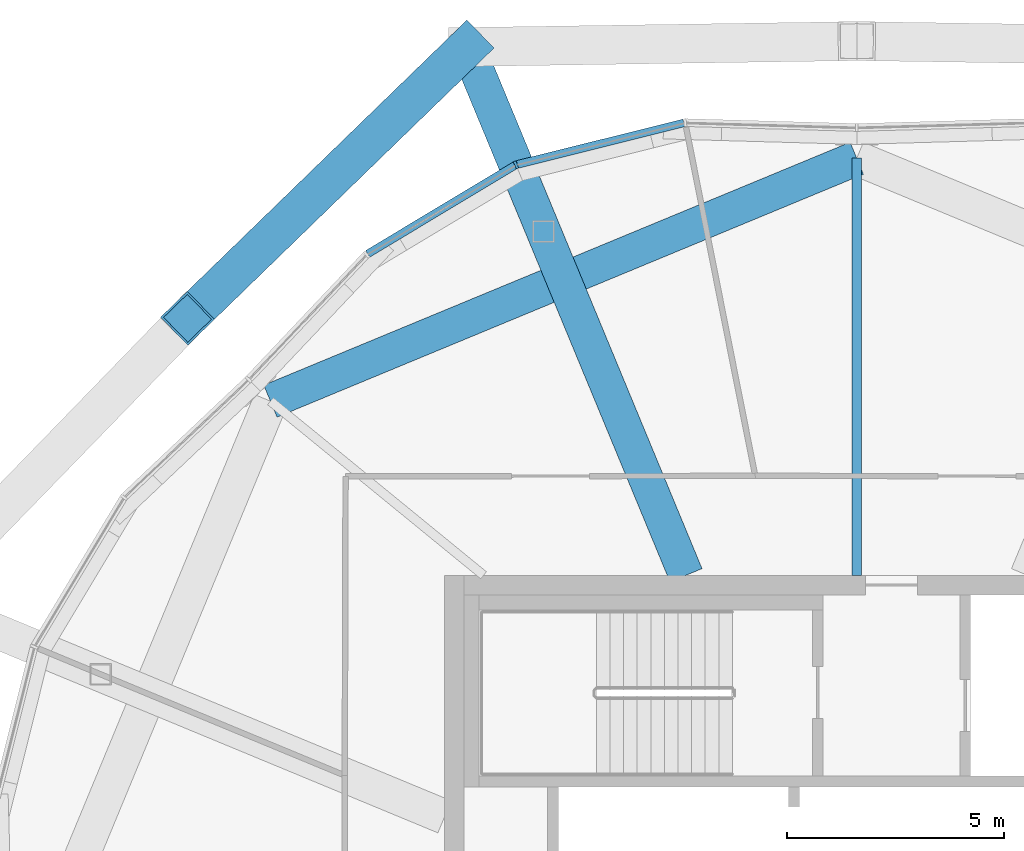
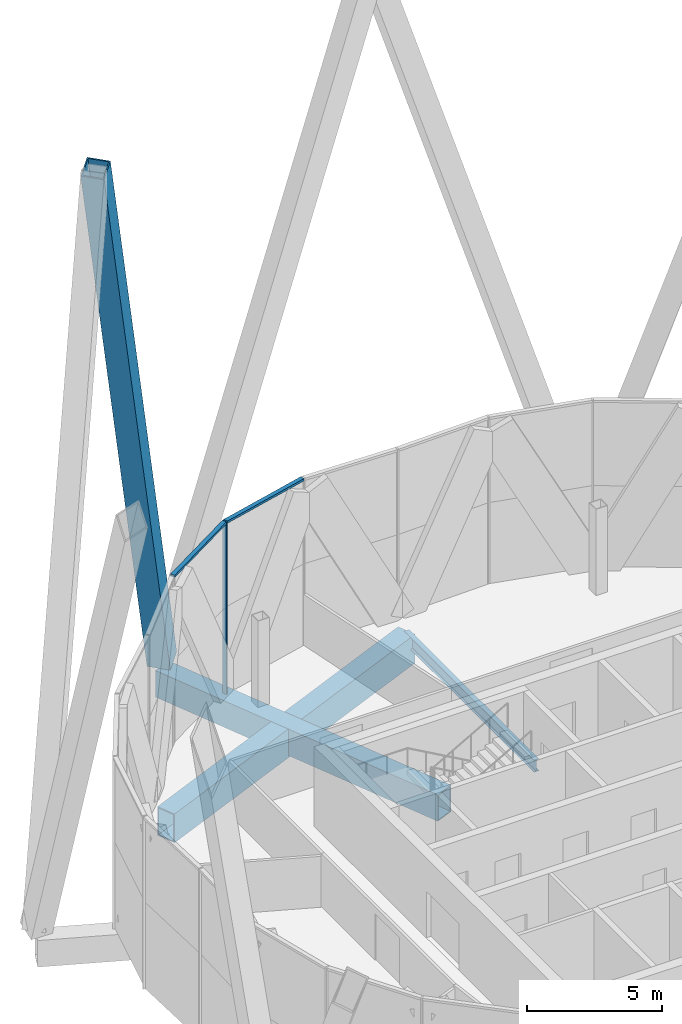
# One storey, part 18 of 53: 4 members, 3 beams, 1 element without a shape of its own.
"""IFC4 building model written with IfcOpenShell, lengths in metres."""

from ifc_helpers import new_model, si_unit, direction, frame, origin, origin_2d, place, context, subcontext, project, spatial, rectangle, hollow_rectangle, i_section, extrude, material, material_profile, profile_set, type_object, element, aggregate, save


model = new_model("IFC4")

# Units and contexts
model_context = context("Model", 3, precision=1e-05, world=origin(), true_north=direction((0.0, 1.0)))
body_context = subcontext(model_context, "Body", "Model", "MODEL_VIEW")
ifc_project = project(units=[si_unit("LENGTHUNIT", "METRE"), si_unit("AREAUNIT", "SQUARE_METRE"), si_unit("VOLUMEUNIT", "CUBIC_METRE"), si_unit("PLANEANGLEUNIT", "RADIAN"), si_unit("MASSUNIT", "GRAM", prefix="KILO")], contexts=[model_context])

# Site, building, storey
site_placement = place(None, origin())
site = spatial("IfcSite", under=ifc_project, at=site_placement, CompositionType="ELEMENT")
building_placement = place(site_placement, origin())
building = spatial("IfcBuilding", under=site, at=building_placement, Name="Ogive Gate Towers", CompositionType="ELEMENT")
storey_placement = place(building_placement, frame((0.0, 0.0, 240.60009765625)))
storey = spatial("IfcBuildingStorey", under=building, at=storey_placement, Name="L57", CompositionType="ELEMENT", Elevation=240.60009765625)

# Member
ifc_material_1 = material(Name="Steel SM460", Category="steel")
ifc_material_profile_1 = material_profile(ifc_material_1, hollow_rectangle(XDim=0.89990234375, YDim=0.89990234375, WallThickness=0.050048828125, at=origin_2d()), Name="BX 900x900x50")
ifc_profile_set_1 = profile_set([ifc_material_profile_1], Name="Steel SM460")
member_type_1 = type_object("IfcMemberType", Name="Diagrid diagonal BX 900x900x50", PredefinedType="BRACE", material=ifc_profile_set_1)
member_1_placement = place(storey_placement, frame((-44.977783203125, 21.67431640625, 0.0), z_axis=(-0.217751746913, -0.211259451685, 0.952866003586), x_axis=(0.696326291775, -0.717725362087, 0.0)))
element("IfcMember", 1, at=member_1_placement, inside=storey, type_object=member_type_1, Name="T1/L57/SDG006", PredefinedType="BRACE", context=body_context, shape_type="SweptSolid", body=[
    extrude(hollow_rectangle(XDim=0.89990234375, YDim=0.89990234375, WallThickness=0.050048828125, at=origin_2d()), origin(), (0.0, 0.0, 1.0), 29.594970703125),
])

# Beams
ifc_material_profile_2 = material_profile(ifc_material_1, hollow_rectangle(XDim=0.800048828125, YDim=1.300048828125, WallThickness=0.050048828125, at=origin_2d()), Name="BX 1300x800x50")
ifc_profile_set_2 = profile_set([ifc_material_profile_2], Name="Steel SM460")
beam_type_1 = type_object("IfcBeamType", Name="Edge girder BX 1300x800x50", PredefinedType="BEAM", material=ifc_profile_set_2)
beam_1_placement = place(storey_placement, frame((-36.0, 19.110107421875, -0.9501953125), z_axis=(-0.923872994947, -0.38269921506, 0.0), x_axis=(0.38269921506, -0.923872994947, 0.0)))
element("IfcBeam", 2, at=beam_1_placement, inside=storey, type_object=beam_type_1, Name="T1/L57/SBM022", PredefinedType="BEAM", context=body_context, shape_type="SweptSolid", body=[
    extrude(hollow_rectangle(XDim=0.800048828125, YDim=1.300048828125, WallThickness=0.050048828125, at=origin_2d()), origin(), (0.0, 0.0, 1.0), 14.626220703125),
])
ifc_material_2 = material(Name="Steel SM355", Category="steel")
ifc_material_profile_3 = material_profile(ifc_material_2, i_section(OverallWidth=0.2099609375, OverallDepth=0.550048828125, WebThickness=0.010986328125, FlangeThickness=0.01708984375, FilletRadius=0.02392578125, at=origin_2d()), Name="IPE 550")
ifc_profile_set_3 = profile_set([ifc_material_profile_3], Name="Steel SM355")
beam_type_2 = type_object("IfcBeamType", Name="Radial floor beam IPE 550", PredefinedType="BEAM", material=ifc_profile_set_3)
beam_2_placement = place(storey_placement, frame((-36.0, 9.5, -0.5751953125), z_axis=(0.0, 1.0, 0.0), x_axis=(-1.0, 0.0, 0.0)))
element("IfcBeam", 3, at=beam_2_placement, inside=storey, type_object=beam_type_2, Name="T1/L57/SBM011", PredefinedType="BEAM", context=body_context, shape_type="SweptSolid", body=[
    extrude(i_section(OverallWidth=0.2099609375, OverallDepth=0.550048828125, WebThickness=0.010986328125, FlangeThickness=0.01708984375, FilletRadius=0.02392578125, at=origin_2d()), origin(), (0.0, 0.0, 1.0), 9.610107421875),
])

# Curtain wall, members
ifc_material_3 = material(Name="Pale metal aluminium", Category="aluminium")
curtain_wall_type = type_object("IfcCurtainWallType", Name="Tower unitised wall, high zone", PredefinedType="NOTDEFINED", material=ifc_material_3)
curtain_wall_placement = place(storey_placement, origin())
curtain_wall = element("IfcCurtainWall", 4, at=curtain_wall_placement, inside=storey, type_object=curtain_wall_type, Name="CW2 T1 ECW05", PredefinedType="NOTDEFINED")
ifc_material_profile_4 = material_profile(ifc_material_3, rectangle(XDim=0.179931640625, YDim=0.06005859375, at=origin_2d()), Name="60 x 180 aluminium box")
ifc_profile_set_4 = profile_set([ifc_material_profile_4], Name="Pale metal aluminium")
member_type_2 = type_object("IfcMemberType", Name="Tower unitised wall, high zone mullion 60 x 180", PredefinedType="MULLION", material=ifc_profile_set_4)
member_2_placement = place(storey_placement, frame((-43.85302734375, 18.958984375, -0.300048828125), z_axis=(0.0, 0.0, 1.0), x_axis=(0.382683432365, -0.923879532511, 0.0)))
member_2 = element("IfcMember", 5, at=member_2_placement, type_object=member_type_2, Name="CW2 mullion", PredefinedType="MULLION", context=body_context, shape_type="SweptSolid", body=[
    extrude(rectangle(XDim=0.179931640625, YDim=0.06005859375, at=origin_2d()), origin(), (0.0, 0.0, 1.0), 7.800048828125),
])
ifc_material_profile_5 = material_profile(ifc_material_3, rectangle(XDim=0.179931640625, YDim=0.10009765625, at=origin_2d()), Name="100 x 180 aluminium box")
ifc_profile_set_5 = profile_set([ifc_material_profile_5], Name="Pale metal aluminium")
member_type_3 = type_object("IfcMemberType", Name="Tower unitised wall, high zone transom 100 x 180", PredefinedType="USERDEFINED", material=ifc_profile_set_5)
member_3_placement = place(storey_placement, frame((-47.270751953125, 16.90673828125, 7.449951171875), z_axis=(0.857296782072, 0.51482252034, 0.0), x_axis=(-0.51482252034, 0.857296782072, 0.0)))
member_3 = element("IfcMember", 6, at=member_3_placement, type_object=member_type_3, Name="CW2 transom", ObjectType="TRANSOM", PredefinedType="USERDEFINED", context=body_context, shape_type="SweptSolid", body=[
    extrude(rectangle(XDim=0.179931640625, YDim=0.10009765625, at=origin_2d()), origin(), (0.0, 0.0, 1.0), 3.955078125),
])
member_4_placement = place(storey_placement, frame((-43.822509765625, 18.966796875, 7.449951171875), z_axis=(0.970251335251, 0.24209986874, 0.0), x_axis=(-0.24209986874, 0.970251335251, 0.0)))
member_4 = element("IfcMember", 7, at=member_4_placement, type_object=member_type_3, Name="CW2 transom", ObjectType="TRANSOM", PredefinedType="USERDEFINED", context=body_context, shape_type="SweptSolid", body=[
    extrude(rectangle(XDim=0.179931640625, YDim=0.10009765625, at=origin_2d()), origin(), (0.0, 0.0, 1.0), 3.955078125),
])
aggregate(curtain_wall, [member_2, member_3, member_4])

# Beam
ifc_material_profile_6 = material_profile(ifc_material_1, hollow_rectangle(XDim=0.800048828125, YDim=1.199951171875, WallThickness=0.050048828125, at=origin_2d()), Name="BX 1200x800x50")
ifc_profile_set_6 = profile_set([ifc_material_profile_6], Name="Steel SM460")
beam_type_3 = type_object("IfcBeamType", Name="Transfer radial beam BX 1200x800x50", PredefinedType="BEAM", material=ifc_profile_set_6)
beam_3_placement = place(storey_placement, frame((-39.93505859375, 9.5, -0.900146484375), z_axis=(-0.382680688612, 0.923880669006, 0.0), x_axis=(-0.923880669006, -0.382680688612, 0.0)))
element("IfcBeam", 8, at=beam_3_placement, inside=storey, type_object=beam_type_3, Name="T1/L57/SBM012", PredefinedType="BEAM", context=body_context, shape_type="SweptSolid", body=[
    extrude(hollow_rectangle(XDim=0.800048828125, YDim=1.199951171875, WallThickness=0.050048828125, at=origin_2d()), origin(), (0.0, 0.0, 1.0), 13.177490234375),
])

save(model, "model.ifc")
